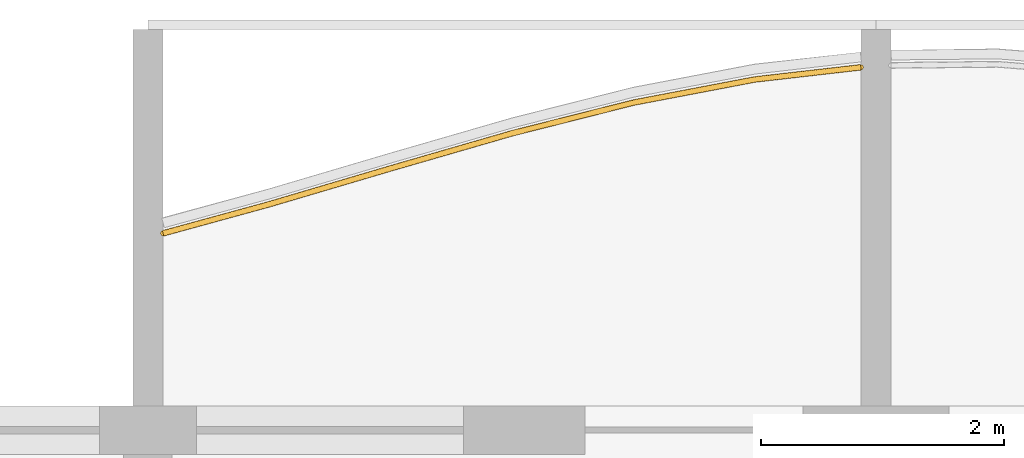
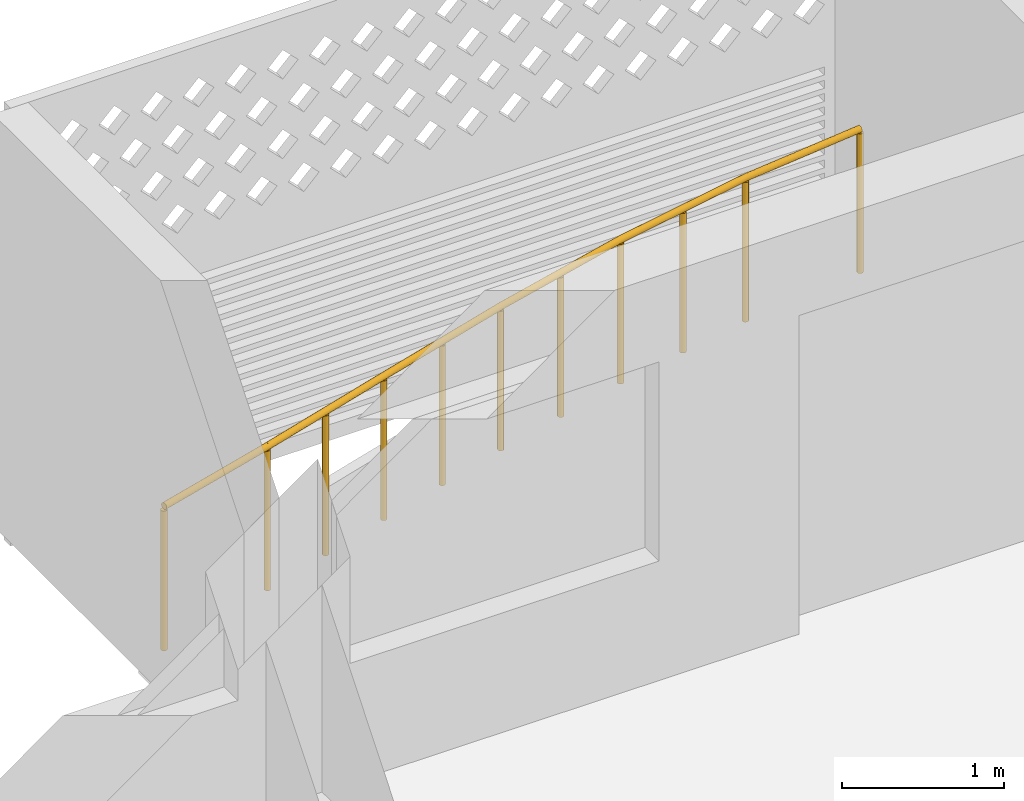
# One storey, part 29 of 39: 1 railing.
"""IFC4 building model written with IfcOpenShell, lengths in metres."""

from ifc_helpers import new_model, si_unit, direction, frame, origin, origin_2d, place, context, subcontext, project, spatial, circle, extrude, material, type_object, element, save


model = new_model("IFC4")

# Units and contexts
model_context = context("Model", 3, precision=1e-05, world=origin(), true_north=direction((0.0, 1.0)))
body_context = subcontext(model_context, "Body", "Model", "MODEL_VIEW")
ifc_project = project(units=[si_unit("LENGTHUNIT", "METRE"), si_unit("AREAUNIT", "SQUARE_METRE"), si_unit("VOLUMEUNIT", "CUBIC_METRE"), si_unit("PLANEANGLEUNIT", "RADIAN"), si_unit("MASSUNIT", "GRAM", prefix="KILO")], contexts=[model_context])

# Site, building, storey
site_placement = place(None, origin())
site = spatial("IfcSite", under=ifc_project, at=site_placement, CompositionType="ELEMENT")
building_placement = place(site_placement, origin())
building = spatial("IfcBuilding", under=site, at=building_placement, Name="Poui Terraces", CompositionType="ELEMENT")
storey_placement = place(building_placement, frame((0.0, 0.0, 59.699951171875)))
storey = spatial("IfcBuildingStorey", under=building, at=storey_placement, Name="L16", CompositionType="ELEMENT", Elevation=59.699951171875)

# Railing
ifc_material = material(Name="Painted steel fretwork", Category="steel")
railing_type = type_object("IfcRailingType", Name="BALCONY GUARD 1100", PredefinedType="GUARDRAIL", material=ifc_material)
railing_placement = place(storey_placement, frame((54.125, 46.421875, 0.0)))
element("IfcRailing", 1, at=railing_placement, inside=storey, type_object=railing_type, Name="BALCONY GUARD", PredefinedType="GUARDRAIL", context=body_context, shape_type="SweptSolid", body=[
    extrude(circle(Radius=0.02392578125, at=origin_2d()), frame((0.0, 0.0, 1.076171875), z_axis=(0.964452650042, 0.264255720519, 0.0), x_axis=(-0.264255720519, 0.964452650042, 0.0)), (0.0, 0.0, 1.0), 0.9072265625),
    extrude(circle(Radius=0.02392578125, at=origin_2d()), frame((0.875, 0.23974609375, 1.076171875), z_axis=(0.959029275123, 0.283306988012, 0.0), x_axis=(-0.283306988012, 0.959029275123, 0.0)), (0.0, 0.0, 1.0), 1.042724609375),
    extrude(circle(Radius=0.02392578125, at=origin_2d()), frame((1.875, 0.53515625, 1.076171875), z_axis=(0.960669700127, 0.277693585193, 0.0), x_axis=(-0.277693585193, 0.960669700127, 0.0)), (0.0, 0.0, 1.0), 1.041015625),
    extrude(circle(Radius=0.02392578125, at=origin_2d()), frame((2.875, 0.82421875, 1.076171875), z_axis=(0.969470524151, 0.245207876714, 0.0), x_axis=(-0.245207876714, 0.969470524151, 0.0)), (0.0, 0.0, 1.0), 1.031494140625),
    extrude(circle(Radius=0.02392578125, at=origin_2d()), frame((3.875, 1.0771484375, 1.076171875), z_axis=(0.982302864177, 0.187299447491, 0.0), x_axis=(-0.187299447491, 0.982302864177, 0.0)), (0.0, 0.0, 1.0), 1.01806640625),
    extrude(circle(Radius=0.02392578125, at=origin_2d()), frame((4.875, 1.267822265625, 1.076171875), z_axis=(0.99348881845, 0.113929660821, 0.0), x_axis=(-0.113929660821, 0.99348881845, 0.0)), (0.0, 0.0, 1.0), 0.880615234375),
    extrude(circle(Radius=0.02099609375, at=origin_2d()), origin(), (0.0, 0.0, 1.0), 1.052001953125),
    extrude(circle(Radius=0.02099609375, at=origin_2d()), frame((0.875, 0.23974609375, 0.0)), (0.0, 0.0, 1.0), 1.052001953125),
    extrude(circle(Radius=0.02099609375, at=origin_2d()), frame((1.375, 0.387451171875, 0.0)), (0.0, 0.0, 1.0), 1.052001953125),
    extrude(circle(Radius=0.02099609375, at=origin_2d()), frame((1.875, 0.53515625, 0.0)), (0.0, 0.0, 1.0), 1.052001953125),
    extrude(circle(Radius=0.02099609375, at=origin_2d()), frame((2.375, 0.6796875, 0.0)), (0.0, 0.0, 1.0), 1.052001953125),
    extrude(circle(Radius=0.02099609375, at=origin_2d()), frame((2.875, 0.82421875, 0.0)), (0.0, 0.0, 1.0), 1.052001953125),
    extrude(circle(Radius=0.02099609375, at=origin_2d()), frame((3.375, 0.95068359375, 0.0)), (0.0, 0.0, 1.0), 1.052001953125),
    extrude(circle(Radius=0.02099609375, at=origin_2d()), frame((3.875, 1.0771484375, 0.0)), (0.0, 0.0, 1.0), 1.052001953125),
    extrude(circle(Radius=0.02099609375, at=origin_2d()), frame((4.375, 1.17236328125, 0.0)), (0.0, 0.0, 1.0), 1.052001953125),
    extrude(circle(Radius=0.02099609375, at=origin_2d()), frame((4.875, 1.267822265625, 0.0)), (0.0, 0.0, 1.0), 1.052001953125),
    extrude(circle(Radius=0.02099609375, at=origin_2d()), frame((5.75, 1.3681640625, 0.0)), (0.0, 0.0, 1.0), 1.052001953125),
])

save(model, "model.ifc")
